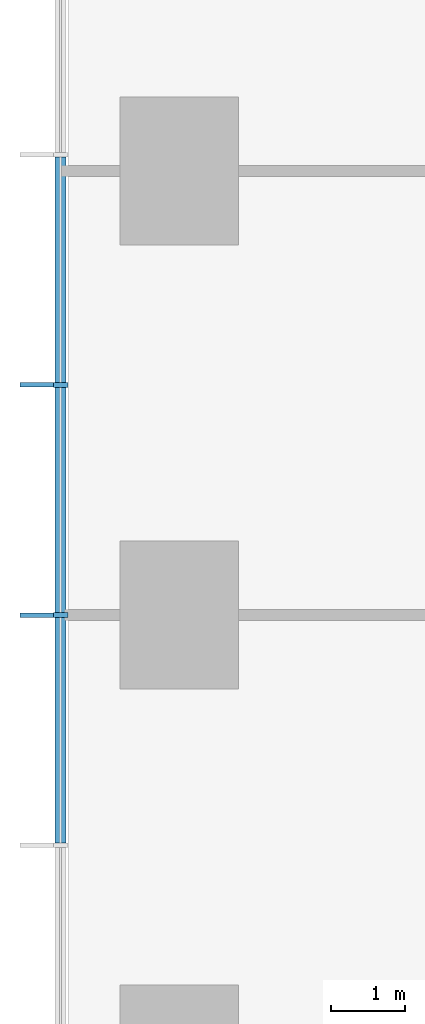
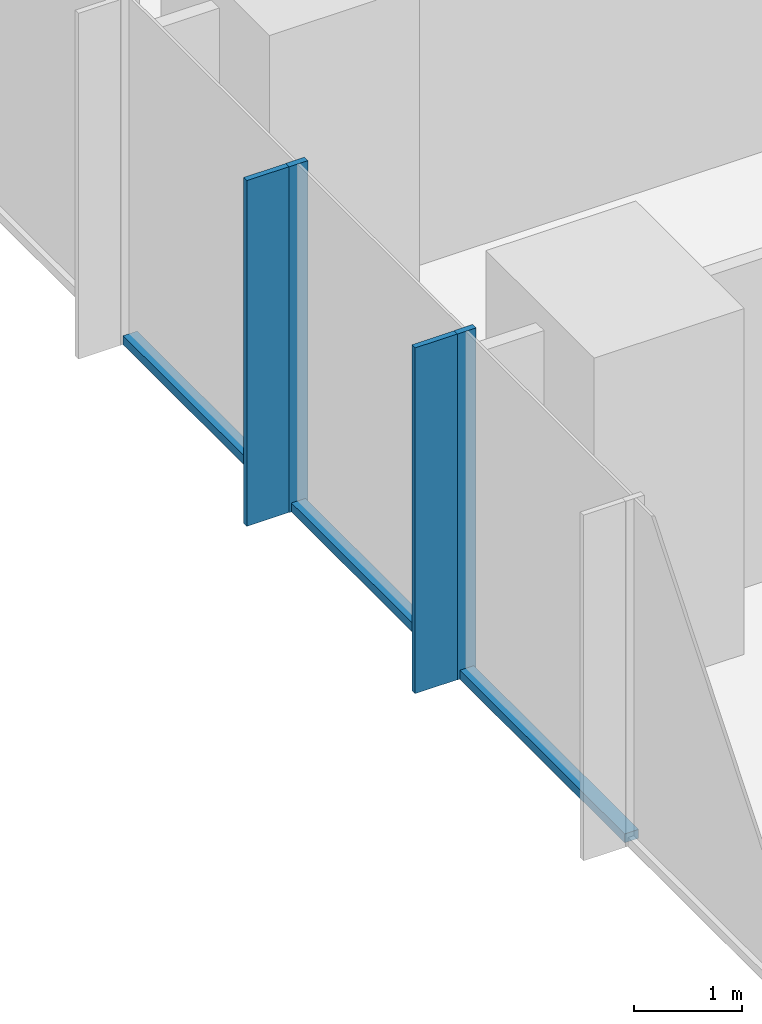
# One storey, part 3 of 12: 7 members, 1 element without a shape of its own.
"""IFC4 building model written with IfcOpenShell, lengths in metres."""

from ifc_helpers import new_model, si_unit, direction, frame, origin, origin_2d, place, context, subcontext, project, spatial, rectangle, extrude, material, layer, layer_set, material_profile, profile_set, type_object, element, aggregate, save


model = new_model("IFC4")

# Units and contexts
model_context = context("Model", 3, precision=1e-05, world=origin(), true_north=direction((0.0, 1.0)))
body_context = subcontext(model_context, "Body", "Model", "MODEL_VIEW")
ifc_project = project(units=[si_unit("LENGTHUNIT", "METRE"), si_unit("AREAUNIT", "SQUARE_METRE"), si_unit("VOLUMEUNIT", "CUBIC_METRE"), si_unit("PLANEANGLEUNIT", "RADIAN"), si_unit("MASSUNIT", "GRAM", prefix="KILO")], contexts=[model_context])

# Site, building, storey
site_placement = place(None, origin())
site = spatial("IfcSite", under=ifc_project, at=site_placement, CompositionType="ELEMENT")
building_placement = place(site_placement, origin())
building = spatial("IfcBuilding", under=site, at=building_placement, Name="Highveld Stack Headquarters", CompositionType="ELEMENT")
storey_placement = place(building_placement, frame((0.0, 0.0, 45.5)))
storey = spatial("IfcBuildingStorey", under=building, at=storey_placement, Name="L10", CompositionType="ELEMENT", Elevation=45.5)

# Curtain wall, members
ifc_material_1 = material(Name="Aluminium bronze anodised", Category="aluminium")
ifc_layer = layer(ifc_material_1, 0.199951171875)
ifc_layer_set = layer_set([ifc_layer], Name="Aluminium bronze anodised")
curtain_wall_type = type_object("IfcCurtainWallType", Name="CW1 TOWER UNITISED CURTAIN WALL", PredefinedType="NOTDEFINED", material=ifc_layer_set)
curtain_wall_placement = place(storey_placement, origin())
curtain_wall = element("IfcCurtainWall", 1, at=curtain_wall_placement, inside=storey, type_object=curtain_wall_type, Name="Curtain wall CW1 L10 W", PredefinedType="NOTDEFINED")
ifc_material_2 = material(Name="Aluminium bronze anodised", Category="aluminium")
ifc_material_profile_1 = material_profile(ifc_material_2, rectangle(XDim=0.449951171875, YDim=0.06005859375, at=origin_2d()), Name="FIN 450x60")
ifc_profile_set_1 = profile_set([ifc_material_profile_1], Name="Aluminium bronze anodised")
member_type_1 = type_object("IfcMemberType", Name="CW1 BRONZE FIN 450x60", PredefinedType="USERDEFINED", material=ifc_profile_set_1)
member_1_placement = place(storey_placement, frame((-19.925048828125, 3.110595703125, 0.0), z_axis=(0.0, 0.0, 1.0), x_axis=(1.0, 0.0, 0.0)))
member_1 = element("IfcMember", 2, at=member_1_placement, type_object=member_type_1, Name="CW1 fin L10 6", ObjectType="FIN", PredefinedType="USERDEFINED", context=body_context, shape_type="SweptSolid", body=[
    extrude(rectangle(XDim=0.449951171875, YDim=0.06005859375, at=origin_2d()), origin(), (0.0, 0.0, 1.0), 3.89990234375),
])
member_2_placement = place(storey_placement, frame((-19.925048828125, 0.0, 0.0), z_axis=(0.0, 0.0, 1.0), x_axis=(1.0, 0.0, 0.0)))
member_2 = element("IfcMember", 3, at=member_2_placement, type_object=member_type_1, Name="CW1 fin L10 7", ObjectType="FIN", PredefinedType="USERDEFINED", context=body_context, shape_type="SweptSolid", body=[
    extrude(rectangle(XDim=0.449951171875, YDim=0.06005859375, at=origin_2d()), origin(), (0.0, 0.0, 1.0), 3.89990234375),
])
ifc_material_3 = material(Name="Aluminium bronze anodised", Category="aluminium")
ifc_material_profile_2 = material_profile(ifc_material_3, rectangle(XDim=0.199951171875, YDim=0.06494140625, at=origin_2d()), Name="CW1 MULLION 65x200")
ifc_profile_set_2 = profile_set([ifc_material_profile_2], Name="Aluminium bronze anodised")
member_type_2 = type_object("IfcMemberType", Name="CW1 MULLION 65x200", PredefinedType="MULLION", material=ifc_profile_set_2)
member_3_placement = place(storey_placement, frame((-19.60009765625, 3.110595703125, 0.0), z_axis=(0.0, 0.0, 1.0), x_axis=(1.0, 0.0, 0.0)))
member_3 = element("IfcMember", 4, at=member_3_placement, type_object=member_type_2, Name="CW1 mullion L10 6", PredefinedType="MULLION", context=body_context, shape_type="SweptSolid", body=[
    extrude(rectangle(XDim=0.199951171875, YDim=0.06494140625, at=origin_2d()), origin(), (0.0, 0.0, 1.0), 3.89990234375),
])
member_4_placement = place(storey_placement, frame((-19.60009765625, 0.0, 0.0), z_axis=(0.0, 0.0, 1.0), x_axis=(1.0, 0.0, 0.0)))
member_4 = element("IfcMember", 5, at=member_4_placement, type_object=member_type_2, Name="CW1 mullion L10 7", PredefinedType="MULLION", context=body_context, shape_type="SweptSolid", body=[
    extrude(rectangle(XDim=0.199951171875, YDim=0.06494140625, at=origin_2d()), origin(), (0.0, 0.0, 1.0), 3.89990234375),
])
ifc_material_4 = material(Name="Aluminium bronze anodised", Category="aluminium")
ifc_material_profile_3 = material_profile(ifc_material_4, rectangle(XDim=0.14990234375, YDim=0.10009765625, at=origin_2d()), Name="CW1 TRANSOM 150x100")
ifc_profile_set_3 = profile_set([ifc_material_profile_3], Name="Aluminium bronze anodised")
member_type_3 = type_object("IfcMemberType", Name="CW1 STACK TRANSOM 150x100", PredefinedType="USERDEFINED", material=ifc_profile_set_3)
member_5_placement = place(storey_placement, frame((-19.60009765625, 6.1884765625, 0.050048828125), z_axis=(0.0, -1.0, 0.0), x_axis=(1.0, 0.0, 0.0)))
member_5 = element("IfcMember", 6, at=member_5_placement, type_object=member_type_3, Name="CW1 transom L10 5.1", ObjectType="TRANSOM", PredefinedType="USERDEFINED", context=body_context, shape_type="SweptSolid", body=[
    extrude(rectangle(XDim=0.14990234375, YDim=0.10009765625, at=origin_2d()), origin(), (0.0, 0.0, 1.0), 3.04541015625),
])
member_6_placement = place(storey_placement, frame((-19.60009765625, 3.077880859375, 0.050048828125), z_axis=(0.0, -1.0, 0.0), x_axis=(1.0, 0.0, 0.0)))
member_6 = element("IfcMember", 7, at=member_6_placement, type_object=member_type_3, Name="CW1 transom L10 6.1", ObjectType="TRANSOM", PredefinedType="USERDEFINED", context=body_context, shape_type="SweptSolid", body=[
    extrude(rectangle(XDim=0.14990234375, YDim=0.10009765625, at=origin_2d()), origin(), (0.0, 0.0, 1.0), 3.04541015625),
])
member_7_placement = place(storey_placement, frame((-19.60009765625, -0.032470703125, 0.050048828125), z_axis=(0.0, -1.0, 0.0), x_axis=(1.0, 0.0, 0.0)))
member_7 = element("IfcMember", 8, at=member_7_placement, type_object=member_type_3, Name="CW1 transom L10 7.1", ObjectType="TRANSOM", PredefinedType="USERDEFINED", context=body_context, shape_type="SweptSolid", body=[
    extrude(rectangle(XDim=0.14990234375, YDim=0.10009765625, at=origin_2d()), origin(), (0.0, 0.0, 1.0), 3.04541015625),
])
aggregate(curtain_wall, [member_3, member_1, member_4, member_2, member_5, member_6, member_7])

save(model, "model.ifc")
